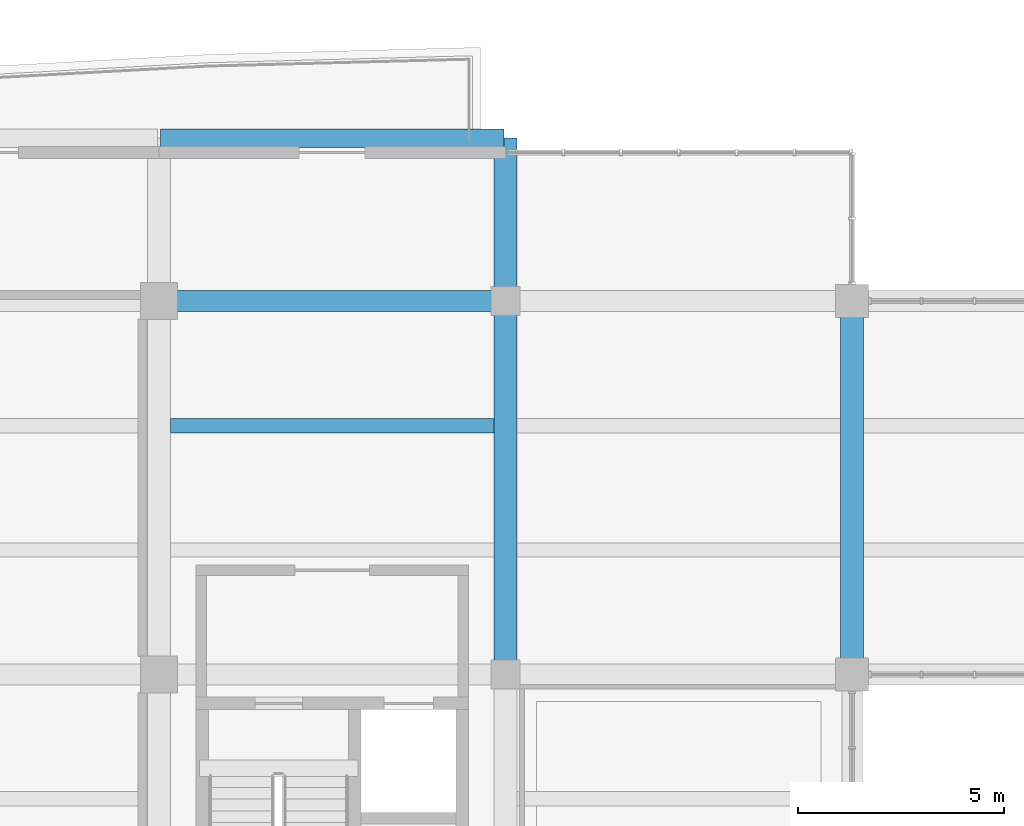
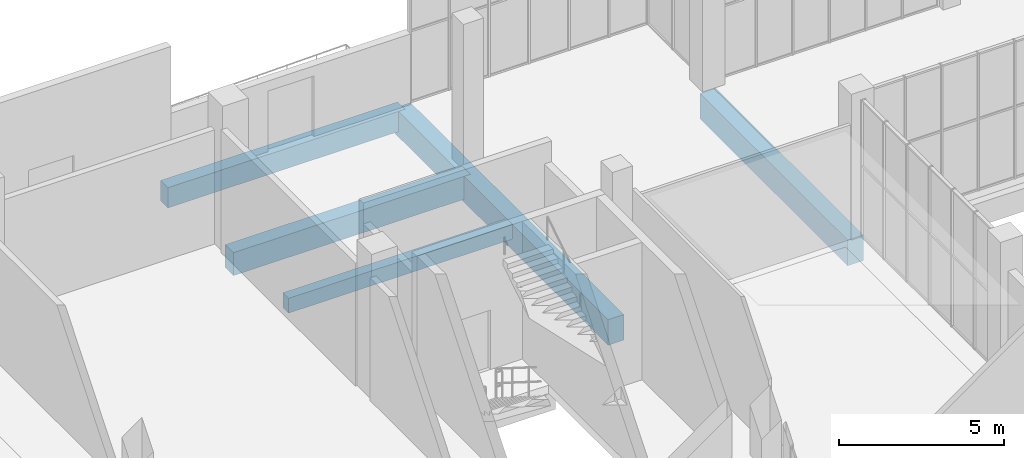
# One storey, part 37 of 132: 5 beams.
"""IFC4 building model written with IfcOpenShell, lengths in metres."""

from ifc_helpers import new_model, si_unit, direction, frame, origin, origin_2d, place, context, subcontext, project, spatial, rectangle, extrude, material, material_profile, profile_set, type_object, element, save


model = new_model("IFC4")

# Units and contexts
model_context = context("Model", 3, precision=1e-05, world=origin(), true_north=direction((0.0, 1.0)))
body_context = subcontext(model_context, "Body", "Model", "MODEL_VIEW")
ifc_project = project(units=[si_unit("LENGTHUNIT", "METRE"), si_unit("AREAUNIT", "SQUARE_METRE"), si_unit("VOLUMEUNIT", "CUBIC_METRE"), si_unit("PLANEANGLEUNIT", "RADIAN"), si_unit("MASSUNIT", "GRAM", prefix="KILO")], contexts=[model_context])

# Site, building, storey
site_placement = place(None, origin())
site = spatial("IfcSite", under=ifc_project, at=site_placement, CompositionType="ELEMENT")
building_placement = place(site_placement, origin())
building = spatial("IfcBuilding", under=site, at=building_placement, Name="Khurvash Pelagic Aquarium", CompositionType="ELEMENT")
storey_placement = place(building_placement, frame((0.0, 0.0, 5.39990234375)))
storey = spatial("IfcBuildingStorey", under=building, at=storey_placement, Name="L01", CompositionType="ELEMENT", Elevation=5.39990234375)

# Beams
ifc_material_1 = material(Name="Concrete C40/50", Category="concrete")
ifc_material_profile_1 = material_profile(ifc_material_1, rectangle(XDim=0.550048828125, YDim=0.949951171875, at=origin_2d()), Name="RC550X950")
ifc_profile_set_1 = profile_set([ifc_material_profile_1], Name="Concrete C40/50")
beam_type_1 = type_object("IfcBeamType", Name="BM-02", PredefinedType="BEAM", material=ifc_profile_set_1)
beam_1_placement = place(storey_placement, frame((100.800048828125, 20.739990234375, -0.794921875), z_axis=(0.0, 1.0, 0.0), x_axis=(-1.0, 0.0, 0.0)))
element("IfcBeam", 1, at=beam_1_placement, inside=storey, type_object=beam_type_1, Name="L01 Primary Girder BM-02 00414", PredefinedType="BEAM", context=body_context, shape_type="SweptSolid", body=[
    extrude(rectangle(XDim=0.550048828125, YDim=0.949951171875, at=origin_2d()), origin(), (0.0, 0.0, 1.0), 12.9599609375),
])
beam_2_placement = place(storey_placement, frame((109.199951171875, 20.739990234375, -0.784912109375), z_axis=(0.0, 1.0, 0.0), x_axis=(-1.0, 0.0, 0.0)))
element("IfcBeam", 2, at=beam_2_placement, inside=storey, type_object=beam_type_1, Name="L01 Primary Girder BM-02 00420", PredefinedType="BEAM", context=body_context, shape_type="SweptSolid", body=[
    extrude(rectangle(XDim=0.550048828125, YDim=0.949951171875, at=origin_2d()), origin(), (0.0, 0.0, 1.0), 8.969970703125),
])
ifc_material_profile_2 = material_profile(ifc_material_1, rectangle(XDim=0.5, YDim=0.85009765625, at=origin_2d()), Name="RC500X850")
ifc_profile_set_2 = profile_set([ifc_material_profile_2], Name="Concrete C40/50")
beam_type_2 = type_object("IfcBeamType", Name="BM-03", PredefinedType="BEAM", material=ifc_profile_set_2)
beam_3_placement = place(storey_placement, frame((92.43994140625, 29.75, -0.744873046875), z_axis=(1.0, 0.0, 0.0), x_axis=(0.0, 1.0, 0.0)))
element("IfcBeam", 3, at=beam_3_placement, inside=storey, type_object=beam_type_2, Name="L01 Primary Girder BM-03 00285", PredefinedType="BEAM", context=body_context, shape_type="SweptSolid", body=[
    extrude(rectangle(XDim=0.5, YDim=0.85009765625, at=origin_2d()), origin(), (0.0, 0.0, 1.0), 8.320068359375),
])
ifc_material_2 = material(Name="Concrete C35/45", Category="concrete")
ifc_material_profile_3 = material_profile(ifc_material_2, rectangle(XDim=0.449951171875, YDim=0.75, at=origin_2d()), Name="RC450X750")
ifc_profile_set_3 = profile_set([ifc_material_profile_3], Name="Concrete C35/45")
beam_type_3 = type_object("IfcBeamType", Name="BM-04", PredefinedType="BEAM", material=ifc_profile_set_3)
beam_4_placement = place(storey_placement, frame((92.43994140625, 33.699951171875, -0.69482421875), z_axis=(1.0, 0.0, 0.0), x_axis=(0.0, 1.0, 0.0)))
element("IfcBeam", 4, at=beam_4_placement, inside=storey, type_object=beam_type_3, Name="L01 Terrace Edge Trimmer Beam BM-04", PredefinedType="BEAM", context=body_context, shape_type="SweptSolid", body=[
    extrude(rectangle(XDim=0.449951171875, YDim=0.75, at=origin_2d()), origin(), (0.0, 0.0, 1.0), 8.320068359375),
])
ifc_material_profile_4 = material_profile(ifc_material_2, rectangle(XDim=0.35009765625, YDim=0.550048828125, at=origin_2d()), Name="RC350X550")
ifc_profile_set_4 = profile_set([ifc_material_profile_4], Name="Concrete C35/45")
beam_type_4 = type_object("IfcBeamType", Name="JS-01", PredefinedType="JOIST", material=ifc_profile_set_4)
beam_5_placement = place(storey_placement, frame((92.675048828125, 26.73291015625, -0.5849609375), z_axis=(1.0, 0.0, 0.0), x_axis=(0.0, 1.0, 0.0)))
element("IfcBeam", 5, at=beam_5_placement, inside=storey, type_object=beam_type_4, Name="L01 Floor Joist JS-01 00535", PredefinedType="JOIST", context=body_context, shape_type="SweptSolid", body=[
    extrude(rectangle(XDim=0.35009765625, YDim=0.550048828125, at=origin_2d()), origin(), (0.0, 0.0, 1.0), 7.849853515625),
])

save(model, "model.ifc")
